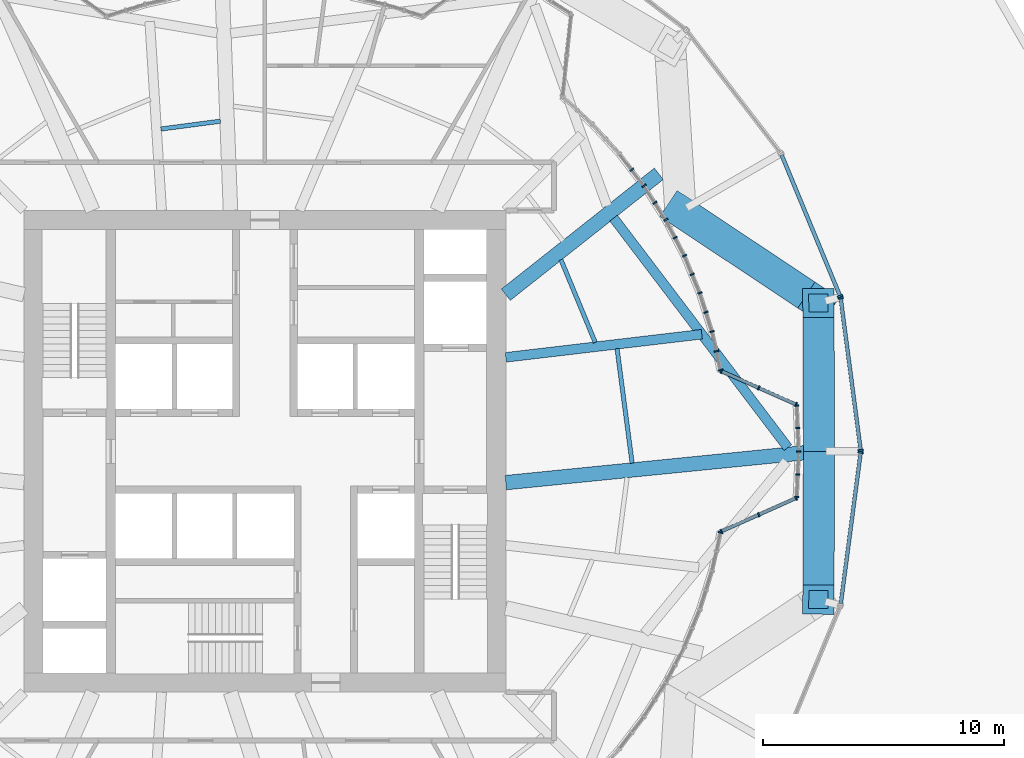
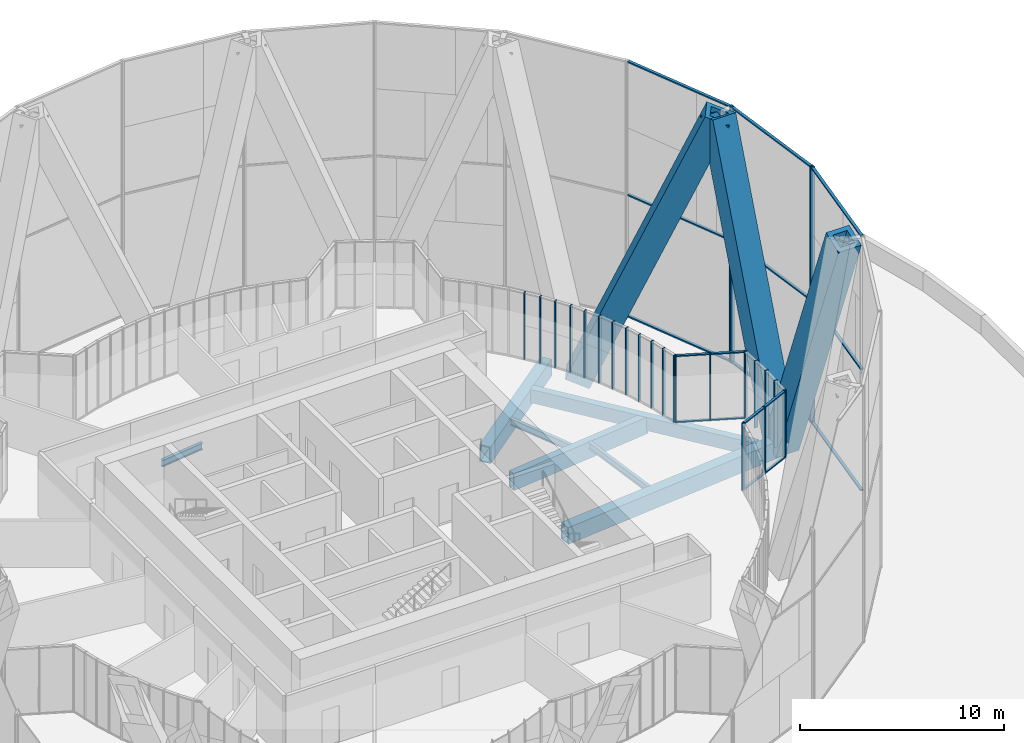
# One storey, part 8 of 27: 48 members, 7 beams, 14 elements without a shape of their own.
"""IFC4 building model written with IfcOpenShell, lengths in metres."""

from ifc_helpers import new_model, si_unit, direction, frame, origin, origin_2d, place, context, subcontext, project, spatial, rectangle, hollow_rectangle, i_section, extrude, material, material_profile, profile_set, type_object, element, aggregate, save


model = new_model("IFC4")

# Units and contexts
model_context = context("Model", 3, precision=1e-05, world=origin(), true_north=direction((0.0, 1.0)))
body_context = subcontext(model_context, "Body", "Model", "MODEL_VIEW")
ifc_project = project(units=[si_unit("LENGTHUNIT", "METRE"), si_unit("AREAUNIT", "SQUARE_METRE"), si_unit("VOLUMEUNIT", "CUBIC_METRE"), si_unit("PLANEANGLEUNIT", "RADIAN"), si_unit("MASSUNIT", "GRAM", prefix="KILO")], contexts=[model_context])

# Site, building, storey
site_placement = place(None, origin())
site = spatial("IfcSite", under=ifc_project, at=site_placement, CompositionType="ELEMENT")
building_placement = place(site_placement, origin())
building = spatial("IfcBuilding", under=site, at=building_placement, Name="Golbaran Civic Tower", CompositionType="ELEMENT")
storey_placement = place(building_placement, frame((0.0, 0.0, 21.0)))
storey = spatial("IfcBuildingStorey", under=building, at=storey_placement, Name="L04", CompositionType="ELEMENT", Elevation=21.0)

# Members
ifc_material_1 = material(Name="Steel S355", Category="steel")
ifc_material_profile_1 = material_profile(ifc_material_1, hollow_rectangle(XDim=1.300048828125, YDim=1.300048828125, WallThickness=0.25, at=origin_2d()), Name="BOX 1300x1300x250")
ifc_profile_set_1 = profile_set([ifc_material_profile_1], Name="Steel S355")
member_type_1 = type_object("IfcMemberType", Name="DIAGRID DIAGONAL BOX 1300x1300x250", PredefinedType="BRACE", material=ifc_profile_set_1)
for number, where, z_axis, x_axis, name in (
    (1, (23.0, 0.0, -0.7099609375), (-0.00148107065, 0.359088427386, 0.933302366732), (-0.999991494239, -0.004124493968, 0.0), "Diagonal D00-00R L04-L08"),
    (2, (23.0, 0.0, -0.7099609375), (-0.00148107065, -0.359088427386, 0.933302366732), (0.999991494239, -0.004124493968, 0.0), "Diagonal D00-00L L04-L08"),
):
    element("IfcMember", number, at=place(storey_placement, frame(where, z_axis=z_axis, x_axis=x_axis)), inside=storey, type_object=member_type_1, Name=name, PredefinedType="BRACE", context=body_context, shape_type="SweptSolid", body=[
        extrude(hollow_rectangle(XDim=1.300048828125, YDim=1.300048828125, WallThickness=0.25, at=origin_2d()), origin(), (0.0, 0.0, 1.0), 17.143310546875),
    ])
member_1_placement = place(storey_placement, frame((17.25, 9.959228515625, -0.7099609375), z_axis=(0.328742402608, -0.218404518417, 0.918818752019), x_axis=(0.55337148994, 0.832934567731, 0.0)))
element("IfcMember", 3, at=member_1_placement, inside=storey, type_object=member_type_1, Name="Diagonal D00-01L L04-L08", PredefinedType="BRACE", context=body_context, shape_type="SweptSolid", body=[
    extrude(hollow_rectangle(XDim=1.300048828125, YDim=1.300048828125, WallThickness=0.25, at=origin_2d()), origin(), (0.0, 0.0, 1.0), 17.41357421875),
])

# Beams
ifc_material_profile_2 = material_profile(ifc_material_1, hollow_rectangle(XDim=0.39990234375, YDim=0.800048828125, WallThickness=0.0400390625, at=origin_2d()), Name="BOX 800x400x40")
ifc_profile_set_2 = profile_set([ifc_material_profile_2], Name="Steel S355")
beam_type_1 = type_object("IfcBeamType", Name="EDGE BEAM BOX 800x400x40", PredefinedType="BEAM", material=ifc_profile_set_2)
beam_1_placement = place(storey_placement, frame((21.708740234375, 0.15234375, -0.60009765625), z_axis=(-0.604750475484, 0.796415006389, 0.0), x_axis=(-0.796415006389, -0.604750475484, 0.0)))
element("IfcBeam", 4, at=beam_1_placement, inside=storey, type_object=beam_type_1, Name="Edge beam 0.00 L04", PredefinedType="BEAM", context=body_context, shape_type="SweptSolid", body=[
    extrude(hollow_rectangle(XDim=0.39990234375, YDim=0.800048828125, WallThickness=0.0400390625, at=origin_2d()), origin(), (0.0, 0.0, 1.0), 11.962158203125),
])
ifc_material_profile_3 = material_profile(ifc_material_1, i_section(OverallWidth=0.179931640625, OverallDepth=0.39990234375, WebThickness=0.008544921875, FlangeThickness=0.013427734375, FilletRadius=0.02099609375, at=origin_2d()), Name="IPE 400")
ifc_profile_set_3 = profile_set([ifc_material_profile_3], Name="Steel S355")
beam_type_2 = type_object("IfcBeamType", Name="FLOOR INFILL BEAM IPE 400", PredefinedType="BEAM", material=ifc_profile_set_3)
beam_2_placement = place(storey_placement, frame((15.244140625, -0.494140625, -0.39990234375), z_axis=(-0.130507158797, 0.991447366986, 0.0), x_axis=(-0.991447366986, -0.130507158797, 0.0)))
element("IfcBeam", 5, at=beam_2_placement, inside=storey, type_object=beam_type_2, Name="Infill beam 7.50 L04", PredefinedType="BEAM", context=body_context, shape_type="SweptSolid", body=[
    extrude(i_section(OverallWidth=0.179931640625, OverallDepth=0.39990234375, WebThickness=0.008544921875, FlangeThickness=0.013427734375, FilletRadius=0.02099609375, at=origin_2d()), origin(), (0.0, 0.0, 1.0), 4.79833984375),
])
beam_3_placement = place(storey_placement, frame((13.711669921875, 4.518798828125, -0.39990234375), z_axis=(-0.382711492988, 0.923867908922, 0.0), x_axis=(-0.923867908922, -0.382711492988, 0.0)))
element("IfcBeam", 6, at=beam_3_placement, inside=storey, type_object=beam_type_2, Name="Infill beam 22.50 L04", PredefinedType="BEAM", context=body_context, shape_type="SweptSolid", body=[
    extrude(i_section(OverallWidth=0.179931640625, OverallDepth=0.39990234375, WebThickness=0.008544921875, FlangeThickness=0.013427734375, FilletRadius=0.02099609375, at=origin_2d()), origin(), (0.0, 0.0, 1.0), 3.716552734375),
])
beam_4_placement = place(storey_placement, frame((-1.847412109375, 13.7021484375, -0.39990234375), z_axis=(-0.991450627495, -0.130482386703, 0.0), x_axis=(0.130482386703, -0.991450627495, 0.0)))
element("IfcBeam", 7, at=beam_4_placement, inside=storey, type_object=beam_type_2, Name="Infill beam 97.50 L04", PredefinedType="BEAM", context=body_context, shape_type="SweptSolid", body=[
    extrude(i_section(OverallWidth=0.179931640625, OverallDepth=0.39990234375, WebThickness=0.008544921875, FlangeThickness=0.013427734375, FilletRadius=0.02099609375, at=origin_2d()), origin(), (0.0, 0.0, 1.0), 2.4921875),
])

# Curtain wall, members
ifc_material_2 = material(Name="Aluminium and glass", Category="aluminium")
curtain_wall_type_1 = type_object("IfcCurtainWallType", Name="INNER SKIN CURTAIN WALL", PredefinedType="NOTDEFINED", material=ifc_material_2)
curtain_wall_1_placement = place(storey_placement, origin())
curtain_wall_1 = element("IfcCurtainWall", 8, at=curtain_wall_1_placement, inside=storey, type_object=curtain_wall_type_1, Name="Inner skin L04 facet 1 CW1", ObjectType="INNER SKIN", PredefinedType="USERDEFINED")
ifc_material_3 = material(Name="Aluminium", Category="aluminium")
ifc_material_profile_4 = material_profile(ifc_material_3, rectangle(XDim=0.179931640625, YDim=0.06494140625, at=origin_2d()), Name="INNER SKIN CURTAIN WALL MULLION")
ifc_profile_set_4 = profile_set([ifc_material_profile_4], Name="Aluminium")
member_type_2 = type_object("IfcMemberType", Name="INNER SKIN CURTAIN WALL MULLION", PredefinedType="MULLION", material=ifc_profile_set_4)
member_2_placement = place(storey_placement, frame((22.117919921875, 0.965576171875, 0.0), z_axis=(0.0, 0.0, 1.0), x_axis=(-0.999048221588, -0.043619387226, 0.0)))
member_2 = element("IfcMember", 9, at=member_2_placement, type_object=member_type_2, Name="CW1 mullion 2", PredefinedType="MULLION", context=body_context, shape_type="SweptSolid", body=[
    extrude(rectangle(XDim=0.179931640625, YDim=0.06494140625, at=origin_2d()), origin(), (0.0, 0.0, 1.0), 4.0),
])
member_3_placement = place(storey_placement, frame((22.0771484375, 1.89892578125, 0.0), z_axis=(0.0, 0.0, 1.0), x_axis=(-0.999048221588, -0.043619387226, 0.0)))
member_3 = element("IfcMember", 10, at=member_3_placement, type_object=member_type_2, Name="CW1 mullion 3", PredefinedType="MULLION", context=body_context, shape_type="SweptSolid", body=[
    extrude(rectangle(XDim=0.179931640625, YDim=0.06494140625, at=origin_2d()), origin(), (0.0, 0.0, 1.0), 4.0),
])
aggregate(curtain_wall_1, [member_2, member_3])

curtain_wall_2_placement = place(storey_placement, origin())
curtain_wall_2 = element("IfcCurtainWall", 11, at=curtain_wall_2_placement, inside=storey, type_object=curtain_wall_type_1, Name="Inner skin L04 facet 2 CW1", ObjectType="INNER SKIN", PredefinedType="USERDEFINED")
member_4_placement = place(storey_placement, frame((22.0458984375, 1.944580078125, 0.0), z_axis=(0.0, 0.0, 1.0), x_axis=(-0.407136379182, -0.91336737885, 0.0)))
member_4 = element("IfcMember", 12, at=member_4_placement, type_object=member_type_2, Name="CW1 mullion 1", PredefinedType="MULLION", context=body_context, shape_type="SweptSolid", body=[
    extrude(rectangle(XDim=0.179931640625, YDim=0.06494140625, at=origin_2d()), origin(), (0.0, 0.0, 1.0), 4.0),
])
member_5_placement = place(storey_placement, frame((20.499267578125, 2.634033203125, 0.0), z_axis=(0.0, 0.0, 1.0), x_axis=(-0.407136379182, -0.91336737885, 0.0)))
member_5 = element("IfcMember", 13, at=member_5_placement, type_object=member_type_2, Name="CW1 mullion 2", PredefinedType="MULLION", context=body_context, shape_type="SweptSolid", body=[
    extrude(rectangle(XDim=0.179931640625, YDim=0.06494140625, at=origin_2d()), origin(), (0.0, 0.0, 1.0), 4.0),
])
member_6_placement = place(storey_placement, frame((18.952880859375, 3.323486328125, 0.0), z_axis=(0.0, 0.0, 1.0), x_axis=(-0.407136379182, -0.91336737885, 0.0)))
member_6 = element("IfcMember", 14, at=member_6_placement, type_object=member_type_2, Name="CW1 mullion 3", PredefinedType="MULLION", context=body_context, shape_type="SweptSolid", body=[
    extrude(rectangle(XDim=0.179931640625, YDim=0.06494140625, at=origin_2d()), origin(), (0.0, 0.0, 1.0), 4.0),
])

curtain_wall_3_placement = place(storey_placement, origin())
curtain_wall_3 = element("IfcCurtainWall", 15, at=curtain_wall_3_placement, inside=storey, type_object=curtain_wall_type_1, Name="Inner skin L04 facet 3 CW1", ObjectType="INNER SKIN", PredefinedType="USERDEFINED")
member_7_placement = place(storey_placement, frame((18.916015625, 3.368408203125, 0.0), z_axis=(0.0, 0.0, 1.0), x_axis=(-0.976296007124, -0.216439613921, 0.0)))
member_7 = element("IfcMember", 16, at=member_7_placement, type_object=member_type_2, Name="CW1 mullion 1", PredefinedType="MULLION", context=body_context, shape_type="SweptSolid", body=[
    extrude(rectangle(XDim=0.179931640625, YDim=0.06494140625, at=origin_2d()), origin(), (0.0, 0.0, 1.0), 4.0),
])
member_8_placement = place(storey_placement, frame((18.74169921875, 4.155029296875, 0.0), z_axis=(0.0, 0.0, 1.0), x_axis=(-0.976296007124, -0.216439613921, 0.0)))
member_8 = element("IfcMember", 17, at=member_8_placement, type_object=member_type_2, Name="CW1 mullion 2", PredefinedType="MULLION", context=body_context, shape_type="SweptSolid", body=[
    extrude(rectangle(XDim=0.179931640625, YDim=0.06494140625, at=origin_2d()), origin(), (0.0, 0.0, 1.0), 4.0),
])
member_9_placement = place(storey_placement, frame((18.560302734375, 4.97314453125, 0.0), z_axis=(0.0, 0.0, 1.0), x_axis=(-0.965925826294, -0.258819045086, 0.0)))
member_9 = element("IfcMember", 18, at=member_9_placement, type_object=member_type_2, Name="CW1 mullion 3", PredefinedType="MULLION", context=body_context, shape_type="SweptSolid", body=[
    extrude(rectangle(XDim=0.179931640625, YDim=0.06494140625, at=origin_2d()), origin(), (0.0, 0.0, 1.0), 4.0),
])
aggregate(curtain_wall_3, [member_7, member_8, member_9])

curtain_wall_4_placement = place(storey_placement, origin())
curtain_wall_4 = element("IfcCurtainWall", 19, at=curtain_wall_4_placement, inside=storey, type_object=curtain_wall_type_1, Name="Inner skin L04 facet 4 CW1", ObjectType="INNER SKIN", PredefinedType="USERDEFINED")
member_10_placement = place(storey_placement, frame((18.308349609375, 5.7724609375, 0.0), z_axis=(0.0, 0.0, 1.0), x_axis=(-0.953716950685, -0.300705799704, 0.0)))
member_10 = element("IfcMember", 20, at=member_10_placement, type_object=member_type_2, Name="CW1 mullion 2", PredefinedType="MULLION", context=body_context, shape_type="SweptSolid", body=[
    extrude(rectangle(XDim=0.179931640625, YDim=0.06494140625, at=origin_2d()), origin(), (0.0, 0.0, 1.0), 4.0),
])
member_11_placement = place(storey_placement, frame((18.05615234375, 6.572021484375, 0.0), z_axis=(0.0, 0.0, 1.0), x_axis=(-0.939692620786, -0.342020143326, 0.0)))
member_11 = element("IfcMember", 21, at=member_11_placement, type_object=member_type_2, Name="CW1 mullion 3", PredefinedType="MULLION", context=body_context, shape_type="SweptSolid", body=[
    extrude(rectangle(XDim=0.179931640625, YDim=0.06494140625, at=origin_2d()), origin(), (0.0, 0.0, 1.0), 4.0),
])
aggregate(curtain_wall_4, [member_10, member_11])

curtain_wall_5_placement = place(storey_placement, origin())
curtain_wall_5 = element("IfcCurtainWall", 22, at=curtain_wall_5_placement, inside=storey, type_object=curtain_wall_type_1, Name="Inner skin L04 facet 5 CW1", ObjectType="INNER SKIN", PredefinedType="USERDEFINED")
member_12_placement = place(storey_placement, frame((17.7353515625, 7.34619140625, 0.0), z_axis=(0.0, 0.0, 1.0), x_axis=(-0.923879532585, -0.382683432188, 0.0)))
member_12 = element("IfcMember", 23, at=member_12_placement, type_object=member_type_2, Name="CW1 mullion 2", PredefinedType="MULLION", context=body_context, shape_type="SweptSolid", body=[
    extrude(rectangle(XDim=0.179931640625, YDim=0.06494140625, at=origin_2d()), origin(), (0.0, 0.0, 1.0), 4.0),
])
member_13_placement = place(storey_placement, frame((17.414794921875, 8.12060546875, 0.0), z_axis=(0.0, 0.0, 1.0), x_axis=(-0.906307787088, -0.42261826163, 0.0)))
member_13 = element("IfcMember", 24, at=member_13_placement, type_object=member_type_2, Name="CW1 mullion 3", PredefinedType="MULLION", context=body_context, shape_type="SweptSolid", body=[
    extrude(rectangle(XDim=0.179931640625, YDim=0.06494140625, at=origin_2d()), origin(), (0.0, 0.0, 1.0), 4.0),
])
aggregate(curtain_wall_5, [member_12, member_13])

curtain_wall_6_placement = place(storey_placement, origin())
curtain_wall_6 = element("IfcCurtainWall", 25, at=curtain_wall_6_placement, inside=storey, type_object=curtain_wall_type_1, Name="Inner skin L04 facet 6 CW1", ObjectType="INNER SKIN", PredefinedType="USERDEFINED")
member_14_placement = place(storey_placement, frame((17.027587890625, 8.864013671875, 0.0), z_axis=(0.0, 0.0, 1.0), x_axis=(-0.887010833267, -0.461748613065, 0.0)))
member_14 = element("IfcMember", 26, at=member_14_placement, type_object=member_type_2, Name="CW1 mullion 2", PredefinedType="MULLION", context=body_context, shape_type="SweptSolid", body=[
    extrude(rectangle(XDim=0.179931640625, YDim=0.06494140625, at=origin_2d()), origin(), (0.0, 0.0, 1.0), 4.0),
])
member_15_placement = place(storey_placement, frame((16.640625, 9.607421875, 0.0), z_axis=(0.0, 0.0, 1.0), x_axis=(-0.866025403802, -0.49999999997, 0.0)))
member_15 = element("IfcMember", 27, at=member_15_placement, type_object=member_type_2, Name="CW1 mullion 3", PredefinedType="MULLION", context=body_context, shape_type="SweptSolid", body=[
    extrude(rectangle(XDim=0.179931640625, YDim=0.06494140625, at=origin_2d()), origin(), (0.0, 0.0, 1.0), 4.0),
])
aggregate(curtain_wall_6, [member_14, member_15])

curtain_wall_7_placement = place(storey_placement, origin())
curtain_wall_7 = element("IfcCurtainWall", 28, at=curtain_wall_7_placement, inside=storey, type_object=curtain_wall_type_1, Name="Inner skin L04 facet 7 CW1", ObjectType="INNER SKIN", PredefinedType="USERDEFINED")
member_16_placement = place(storey_placement, frame((16.1904296875, 10.314453125, 0.0), z_axis=(0.0, 0.0, 1.0), x_axis=(-0.843391445653, -0.537299608597, 0.0)))
member_16 = element("IfcMember", 29, at=member_16_placement, type_object=member_type_2, Name="CW1 mullion 2", PredefinedType="MULLION", context=body_context, shape_type="SweptSolid", body=[
    extrude(rectangle(XDim=0.179931640625, YDim=0.06494140625, at=origin_2d()), origin(), (0.0, 0.0, 1.0), 4.0),
])
member_17_placement = place(storey_placement, frame((15.739990234375, 11.021240234375, 0.0), z_axis=(0.0, 0.0, 1.0), x_axis=(-0.819152044259, -0.573576436394, 0.0)))
member_17 = element("IfcMember", 30, at=member_17_placement, type_object=member_type_2, Name="CW1 mullion 3", PredefinedType="MULLION", context=body_context, shape_type="SweptSolid", body=[
    extrude(rectangle(XDim=0.179931640625, YDim=0.06494140625, at=origin_2d()), origin(), (0.0, 0.0, 1.0), 4.0),
])
aggregate(curtain_wall_7, [member_16, member_17])

# Curtain wall, member
curtain_wall_8_placement = place(storey_placement, origin())
curtain_wall_8 = element("IfcCurtainWall", 31, at=curtain_wall_8_placement, inside=storey, type_object=curtain_wall_type_1, Name="Inner skin L04 facet 8 CW1", ObjectType="INNER SKIN", PredefinedType="USERDEFINED")
member_18_placement = place(storey_placement, frame((15.229736328125, 11.686279296875, 0.0), z_axis=(0.0, 0.0, 1.0), x_axis=(-0.793353340514, -0.608761428718, 0.0)))
member_18 = element("IfcMember", 32, at=member_18_placement, type_object=member_type_2, Name="CW1 mullion 2", PredefinedType="MULLION", context=body_context, shape_type="SweptSolid", body=[
    extrude(rectangle(XDim=0.179931640625, YDim=0.06494140625, at=origin_2d()), origin(), (0.0, 0.0, 1.0), 4.0),
])
aggregate(curtain_wall_8, [member_18])

curtain_wall_9_placement = place(storey_placement, origin())
curtain_wall_9 = element("IfcCurtainWall", 33, at=curtain_wall_9_placement, inside=storey, type_object=curtain_wall_type_1, Name="Inner skin L04 facet 70 CW1", ObjectType="INNER SKIN", PredefinedType="USERDEFINED")
member_19_placement = place(storey_placement, frame((18.916015625, -3.368408203125, 0.0), z_axis=(0.0, 0.0, 1.0), x_axis=(-0.976296007124, 0.216439613921, 0.0)))
member_19 = element("IfcMember", 34, at=member_19_placement, type_object=member_type_2, Name="CW1 mullion 3", PredefinedType="MULLION", context=body_context, shape_type="SweptSolid", body=[
    extrude(rectangle(XDim=0.179931640625, YDim=0.06494140625, at=origin_2d()), origin(), (0.0, 0.0, 1.0), 4.0),
])
aggregate(curtain_wall_9, [member_19])

# Curtain wall, members
curtain_wall_10_placement = place(storey_placement, origin())
curtain_wall_10 = element("IfcCurtainWall", 35, at=curtain_wall_10_placement, inside=storey, type_object=curtain_wall_type_1, Name="Inner skin L04 facet 71 CW1", ObjectType="INNER SKIN", PredefinedType="USERDEFINED")
member_20_placement = place(storey_placement, frame((18.952880859375, -3.323486328125, 0.0), z_axis=(0.0, 0.0, 1.0), x_axis=(-0.407136379182, 0.91336737885, 0.0)))
member_20 = element("IfcMember", 36, at=member_20_placement, type_object=member_type_2, Name="CW1 mullion 1", PredefinedType="MULLION", context=body_context, shape_type="SweptSolid", body=[
    extrude(rectangle(XDim=0.179931640625, YDim=0.06494140625, at=origin_2d()), origin(), (0.0, 0.0, 1.0), 4.0),
])
member_21_placement = place(storey_placement, frame((20.499267578125, -2.634033203125, 0.0), z_axis=(0.0, 0.0, 1.0), x_axis=(-0.407136379182, 0.91336737885, 0.0)))
member_21 = element("IfcMember", 37, at=member_21_placement, type_object=member_type_2, Name="CW1 mullion 2", PredefinedType="MULLION", context=body_context, shape_type="SweptSolid", body=[
    extrude(rectangle(XDim=0.179931640625, YDim=0.06494140625, at=origin_2d()), origin(), (0.0, 0.0, 1.0), 4.0),
])
member_22_placement = place(storey_placement, frame((22.0458984375, -1.944580078125, 0.0), z_axis=(0.0, 0.0, 1.0), x_axis=(-0.407136379182, 0.91336737885, 0.0)))
member_22 = element("IfcMember", 38, at=member_22_placement, type_object=member_type_2, Name="CW1 mullion 3", PredefinedType="MULLION", context=body_context, shape_type="SweptSolid", body=[
    extrude(rectangle(XDim=0.179931640625, YDim=0.06494140625, at=origin_2d()), origin(), (0.0, 0.0, 1.0), 4.0),
])

curtain_wall_11_placement = place(storey_placement, origin())
curtain_wall_11 = element("IfcCurtainWall", 39, at=curtain_wall_11_placement, inside=storey, type_object=curtain_wall_type_1, Name="Inner skin L04 facet 72 CW1", ObjectType="INNER SKIN", PredefinedType="USERDEFINED")
member_23_placement = place(storey_placement, frame((22.0771484375, -1.89892578125, 0.0), z_axis=(0.0, 0.0, 1.0), x_axis=(-0.999048221588, 0.043619387226, 0.0)))
member_23 = element("IfcMember", 40, at=member_23_placement, type_object=member_type_2, Name="CW1 mullion 1", PredefinedType="MULLION", context=body_context, shape_type="SweptSolid", body=[
    extrude(rectangle(XDim=0.179931640625, YDim=0.06494140625, at=origin_2d()), origin(), (0.0, 0.0, 1.0), 4.0),
])
member_24_placement = place(storey_placement, frame((22.117919921875, -0.965576171875, 0.0), z_axis=(0.0, 0.0, 1.0), x_axis=(-0.999048221588, 0.043619387226, 0.0)))
member_24 = element("IfcMember", 41, at=member_24_placement, type_object=member_type_2, Name="CW1 mullion 2", PredefinedType="MULLION", context=body_context, shape_type="SweptSolid", body=[
    extrude(rectangle(XDim=0.179931640625, YDim=0.06494140625, at=origin_2d()), origin(), (0.0, 0.0, 1.0), 4.0),
])
member_25_placement = place(storey_placement, frame((22.159912109375, 0.0, 0.0), z_axis=(0.0, 0.0, 1.0), x_axis=(-1.0, -7e-11, 0.0)))
member_25 = element("IfcMember", 42, at=member_25_placement, type_object=member_type_2, Name="CW1 mullion 3", PredefinedType="MULLION", context=body_context, shape_type="SweptSolid", body=[
    extrude(rectangle(XDim=0.179931640625, YDim=0.06494140625, at=origin_2d()), origin(), (0.0, 0.0, 1.0), 4.0),
])
aggregate(curtain_wall_11, [member_23, member_24, member_25])

# Member
ifc_material_profile_5 = material_profile(ifc_material_3, rectangle(XDim=0.139892578125, YDim=0.06494140625, at=origin_2d()), Name="INNER SKIN CURTAIN WALL TRANSOM")
ifc_profile_set_5 = profile_set([ifc_material_profile_5], Name="Aluminium")
member_type_3 = type_object("IfcMemberType", Name="INNER SKIN CURTAIN WALL TRANSOM", PredefinedType="USERDEFINED", material=ifc_profile_set_5)
member_26_placement = place(storey_placement, frame((22.016357421875, 1.957763671875, 0.032470703125), z_axis=(-0.913341070078, 0.407195394999, 0.0), x_axis=(-0.407195394999, -0.913341070078, 0.0)))
member_26 = element("IfcMember", 43, at=member_26_placement, type_object=member_type_3, Name="CW1 transom 1.1", ObjectType="TRANSOM", PredefinedType="USERDEFINED", context=body_context, shape_type="SweptSolid", body=[
    extrude(rectangle(XDim=0.139892578125, YDim=0.06494140625, at=origin_2d()), origin(), (0.0, 0.0, 1.0), 1.62841796875),
])

member_27_placement = place(storey_placement, frame((22.016357421875, 1.957763671875, 3.967529296875), z_axis=(-0.913341070078, 0.407195394999, 0.0), x_axis=(-0.407195394999, -0.913341070078, 0.0)))
member_27 = element("IfcMember", 44, at=member_27_placement, type_object=member_type_3, Name="CW1 transom 1.2", ObjectType="TRANSOM", PredefinedType="USERDEFINED", context=body_context, shape_type="SweptSolid", body=[
    extrude(rectangle(XDim=0.139892578125, YDim=0.06494140625, at=origin_2d()), origin(), (0.0, 0.0, 1.0), 1.62841796875),
])

member_28_placement = place(storey_placement, frame((20.4697265625, 2.647216796875, 0.032470703125), z_axis=(-0.913341070078, 0.407195394999, 0.0), x_axis=(-0.407195394999, -0.913341070078, 0.0)))
member_28 = element("IfcMember", 45, at=member_28_placement, type_object=member_type_3, Name="CW1 transom 2.1", ObjectType="TRANSOM", PredefinedType="USERDEFINED", context=body_context, shape_type="SweptSolid", body=[
    extrude(rectangle(XDim=0.139892578125, YDim=0.06494140625, at=origin_2d()), origin(), (0.0, 0.0, 1.0), 1.62841796875),
])

member_29_placement = place(storey_placement, frame((20.4697265625, 2.647216796875, 3.967529296875), z_axis=(-0.913341070078, 0.407195394999, 0.0), x_axis=(-0.407195394999, -0.913341070078, 0.0)))
member_29 = element("IfcMember", 46, at=member_29_placement, type_object=member_type_3, Name="CW1 transom 2.2", ObjectType="TRANSOM", PredefinedType="USERDEFINED", context=body_context, shape_type="SweptSolid", body=[
    extrude(rectangle(XDim=0.139892578125, YDim=0.06494140625, at=origin_2d()), origin(), (0.0, 0.0, 1.0), 1.62841796875),
])

aggregate(curtain_wall_2, [member_4, member_5, member_6, member_26, member_27, member_28, member_29])

member_30_placement = place(storey_placement, frame((18.982421875, -3.310302734375, 0.032470703125), z_axis=(0.913341070078, 0.407195394999, 0.0), x_axis=(-0.407195394999, 0.913341070078, 0.0)))
member_30 = element("IfcMember", 47, at=member_30_placement, type_object=member_type_3, Name="CW1 transom 1.1", ObjectType="TRANSOM", PredefinedType="USERDEFINED", context=body_context, shape_type="SweptSolid", body=[
    extrude(rectangle(XDim=0.139892578125, YDim=0.06494140625, at=origin_2d()), origin(), (0.0, 0.0, 1.0), 1.62841796875),
])

member_31_placement = place(storey_placement, frame((18.982421875, -3.310302734375, 3.967529296875), z_axis=(0.913341070078, 0.407195394999, 0.0), x_axis=(-0.407195394999, 0.913341070078, 0.0)))
member_31 = element("IfcMember", 48, at=member_31_placement, type_object=member_type_3, Name="CW1 transom 1.2", ObjectType="TRANSOM", PredefinedType="USERDEFINED", context=body_context, shape_type="SweptSolid", body=[
    extrude(rectangle(XDim=0.139892578125, YDim=0.06494140625, at=origin_2d()), origin(), (0.0, 0.0, 1.0), 1.62841796875),
])

member_32_placement = place(storey_placement, frame((20.529052734375, -2.620849609375, 0.032470703125), z_axis=(0.913341070078, 0.407195394999, 0.0), x_axis=(-0.407195394999, 0.913341070078, 0.0)))
member_32 = element("IfcMember", 49, at=member_32_placement, type_object=member_type_3, Name="CW1 transom 2.1", ObjectType="TRANSOM", PredefinedType="USERDEFINED", context=body_context, shape_type="SweptSolid", body=[
    extrude(rectangle(XDim=0.139892578125, YDim=0.06494140625, at=origin_2d()), origin(), (0.0, 0.0, 1.0), 1.62841796875),
])

member_33_placement = place(storey_placement, frame((20.529052734375, -2.620849609375, 3.967529296875), z_axis=(0.913341070078, 0.407195394999, 0.0), x_axis=(-0.407195394999, 0.913341070078, 0.0)))
member_33 = element("IfcMember", 50, at=member_33_placement, type_object=member_type_3, Name="CW1 transom 2.2", ObjectType="TRANSOM", PredefinedType="USERDEFINED", context=body_context, shape_type="SweptSolid", body=[
    extrude(rectangle(XDim=0.139892578125, YDim=0.06494140625, at=origin_2d()), origin(), (0.0, 0.0, 1.0), 1.62841796875),
])

aggregate(curtain_wall_10, [member_20, member_21, member_22, member_30, member_31, member_32, member_33])

# Curtain wall, members
curtain_wall_type_2 = type_object("IfcCurtainWallType", Name="OUTER SKIN TERRACOTTA SCREEN", PredefinedType="NOTDEFINED", material=ifc_material_2)
curtain_wall_12_placement = place(storey_placement, origin())
curtain_wall_12 = element("IfcCurtainWall", 51, at=curtain_wall_12_placement, inside=storey, type_object=curtain_wall_type_2, Name="Outer skin L04 facet 1 CW3", ObjectType="OUTER SKIN", PredefinedType="USERDEFINED")
ifc_material_profile_6 = material_profile(ifc_material_3, rectangle(XDim=0.219970703125, YDim=0.080078125, at=origin_2d()), Name="OUTER SKIN TERRACOTTA SCREEN MULLION")
ifc_profile_set_6 = profile_set([ifc_material_profile_6], Name="Aluminium")
member_type_4 = type_object("IfcMemberType", Name="OUTER SKIN TERRACOTTA SCREEN MULLION", PredefinedType="MULLION", material=ifc_profile_set_6)
member_34_placement = place(storey_placement, frame((24.729736328125, 0.03955078125, 0.0), z_axis=(0.0, 0.0, 1.0), x_axis=(-0.991444861369, -0.130526192255, 0.0)))
member_34 = element("IfcMember", 52, at=member_34_placement, type_object=member_type_4, Name="CW3 mullion 1", PredefinedType="MULLION", context=body_context, shape_type="SweptSolid", body=[
    extrude(rectangle(XDim=0.219970703125, YDim=0.080078125, at=origin_2d()), origin(), (0.0, 0.0, 1.0), 15.2900390625),
])
member_35_placement = place(storey_placement, frame((23.8974609375, 6.3623046875, 0.0), z_axis=(0.0, 0.0, 1.0), x_axis=(-0.991444861369, -0.130526192255, 0.0)))
member_35 = element("IfcMember", 53, at=member_35_placement, type_object=member_type_4, Name="CW3 mullion 2", PredefinedType="MULLION", context=body_context, shape_type="SweptSolid", body=[
    extrude(rectangle(XDim=0.219970703125, YDim=0.080078125, at=origin_2d()), origin(), (0.0, 0.0, 1.0), 15.2900390625),
])

# Curtain wall, member
curtain_wall_13_placement = place(storey_placement, origin())
curtain_wall_13 = element("IfcCurtainWall", 54, at=curtain_wall_13_placement, inside=storey, type_object=curtain_wall_type_2, Name="Outer skin L04 facet 2 CW3", ObjectType="OUTER SKIN", PredefinedType="USERDEFINED")
member_36_placement = place(storey_placement, frame((23.876953125, 6.43896484375, 0.0), z_axis=(0.0, 0.0, 1.0), x_axis=(-0.923879532538, -0.382683432301, 0.0)))
member_36 = element("IfcMember", 55, at=member_36_placement, type_object=member_type_4, Name="CW3 mullion 1", PredefinedType="MULLION", context=body_context, shape_type="SweptSolid", body=[
    extrude(rectangle(XDim=0.219970703125, YDim=0.080078125, at=origin_2d()), origin(), (0.0, 0.0, 1.0), 15.2900390625),
])

curtain_wall_14_placement = place(storey_placement, origin())
curtain_wall_14 = element("IfcCurtainWall", 56, at=curtain_wall_14_placement, inside=storey, type_object=curtain_wall_type_2, Name="Outer skin L04 facet 24 CW3", ObjectType="OUTER SKIN", PredefinedType="USERDEFINED")
member_37_placement = place(storey_placement, frame((24.729736328125, -0.03955078125, 0.0), z_axis=(0.0, 0.0, 1.0), x_axis=(-0.991444861369, 0.130526192255, 0.0)))
member_37 = element("IfcMember", 57, at=member_37_placement, type_object=member_type_4, Name="CW3 mullion 2", PredefinedType="MULLION", context=body_context, shape_type="SweptSolid", body=[
    extrude(rectangle(XDim=0.219970703125, YDim=0.080078125, at=origin_2d()), origin(), (0.0, 0.0, 1.0), 15.2900390625),
])

# Member
ifc_material_profile_7 = material_profile(ifc_material_3, rectangle(XDim=0.159912109375, YDim=0.080078125, at=origin_2d()), Name="OUTER SKIN TERRACOTTA SCREEN TRANSOM")
ifc_profile_set_7 = profile_set([ifc_material_profile_7], Name="Aluminium")
member_type_5 = type_object("IfcMemberType", Name="OUTER SKIN TERRACOTTA SCREEN TRANSOM", PredefinedType="USERDEFINED", material=ifc_profile_set_7)
member_38_placement = place(storey_placement, frame((24.724609375, 0.079345703125, 0.0400390625), z_axis=(-0.130540762908, 0.991442942997, 0.0), x_axis=(-0.991442942997, -0.130540762908, 0.0)))
member_38 = element("IfcMember", 58, at=member_38_placement, type_object=member_type_5, Name="CW3 transom 1.1", ObjectType="TRANSOM", PredefinedType="USERDEFINED", context=body_context, shape_type="SweptSolid", body=[
    extrude(rectangle(XDim=0.159912109375, YDim=0.080078125, at=origin_2d()), origin(), (0.0, 0.0, 1.0), 6.297119140625),
])

member_39_placement = place(storey_placement, frame((24.724609375, 0.079345703125, 7.2900390625), z_axis=(-0.130540762908, 0.991442942997, 0.0), x_axis=(-0.991442942997, -0.130540762908, 0.0)))
member_39 = element("IfcMember", 59, at=member_39_placement, type_object=member_type_5, Name="CW3 transom 1.2", ObjectType="TRANSOM", PredefinedType="USERDEFINED", context=body_context, shape_type="SweptSolid", body=[
    extrude(rectangle(XDim=0.159912109375, YDim=0.080078125, at=origin_2d()), origin(), (0.0, 0.0, 1.0), 6.297119140625),
])

member_40_placement = place(storey_placement, frame((24.724609375, 0.079345703125, 15.25), z_axis=(-0.130540762908, 0.991442942997, 0.0), x_axis=(-0.991442942997, -0.130540762908, 0.0)))
member_40 = element("IfcMember", 60, at=member_40_placement, type_object=member_type_5, Name="CW3 transom 1.3", ObjectType="TRANSOM", PredefinedType="USERDEFINED", context=body_context, shape_type="SweptSolid", body=[
    extrude(rectangle(XDim=0.159912109375, YDim=0.080078125, at=origin_2d()), origin(), (0.0, 0.0, 1.0), 6.297119140625),
])

aggregate(curtain_wall_12, [member_34, member_35, member_38, member_39, member_40])

member_41_placement = place(storey_placement, frame((23.861572265625, 6.475830078125, 0.0400390625), z_axis=(-0.38269305572, 0.923875546328, 0.0), x_axis=(-0.923875546328, -0.38269305572, 0.0)))
member_41 = element("IfcMember", 61, at=member_41_placement, type_object=member_type_5, Name="CW3 transom 1.1", ObjectType="TRANSOM", PredefinedType="USERDEFINED", context=body_context, shape_type="SweptSolid", body=[
    extrude(rectangle(XDim=0.159912109375, YDim=0.080078125, at=origin_2d()), origin(), (0.0, 0.0, 1.0), 6.29736328125),
])

member_42_placement = place(storey_placement, frame((23.861572265625, 6.475830078125, 7.2900390625), z_axis=(-0.38269305572, 0.923875546328, 0.0), x_axis=(-0.923875546328, -0.38269305572, 0.0)))
member_42 = element("IfcMember", 62, at=member_42_placement, type_object=member_type_5, Name="CW3 transom 1.2", ObjectType="TRANSOM", PredefinedType="USERDEFINED", context=body_context, shape_type="SweptSolid", body=[
    extrude(rectangle(XDim=0.159912109375, YDim=0.080078125, at=origin_2d()), origin(), (0.0, 0.0, 1.0), 6.29736328125),
])

member_43_placement = place(storey_placement, frame((23.861572265625, 6.475830078125, 15.25), z_axis=(-0.38269305572, 0.923875546328, 0.0), x_axis=(-0.923875546328, -0.38269305572, 0.0)))
member_43 = element("IfcMember", 63, at=member_43_placement, type_object=member_type_5, Name="CW3 transom 1.3", ObjectType="TRANSOM", PredefinedType="USERDEFINED", context=body_context, shape_type="SweptSolid", body=[
    extrude(rectangle(XDim=0.159912109375, YDim=0.080078125, at=origin_2d()), origin(), (0.0, 0.0, 1.0), 6.29736328125),
])

aggregate(curtain_wall_13, [member_36, member_41, member_42, member_43])

member_44_placement = place(storey_placement, frame((23.902587890625, -6.322509765625, 0.0400390625), z_axis=(0.130540762908, 0.991442942997, 0.0), x_axis=(-0.991442942997, 0.130540762908, 0.0)))
member_44 = element("IfcMember", 64, at=member_44_placement, type_object=member_type_5, Name="CW3 transom 1.1", ObjectType="TRANSOM", PredefinedType="USERDEFINED", context=body_context, shape_type="SweptSolid", body=[
    extrude(rectangle(XDim=0.159912109375, YDim=0.080078125, at=origin_2d()), origin(), (0.0, 0.0, 1.0), 6.297119140625),
])

member_45_placement = place(storey_placement, frame((23.902587890625, -6.322509765625, 7.2900390625), z_axis=(0.130540762908, 0.991442942997, 0.0), x_axis=(-0.991442942997, 0.130540762908, 0.0)))
member_45 = element("IfcMember", 65, at=member_45_placement, type_object=member_type_5, Name="CW3 transom 1.2", ObjectType="TRANSOM", PredefinedType="USERDEFINED", context=body_context, shape_type="SweptSolid", body=[
    extrude(rectangle(XDim=0.159912109375, YDim=0.080078125, at=origin_2d()), origin(), (0.0, 0.0, 1.0), 6.297119140625),
])

member_46_placement = place(storey_placement, frame((23.902587890625, -6.322509765625, 15.25), z_axis=(0.130540762908, 0.991442942997, 0.0), x_axis=(-0.991442942997, 0.130540762908, 0.0)))
member_46 = element("IfcMember", 66, at=member_46_placement, type_object=member_type_5, Name="CW3 transom 1.3", ObjectType="TRANSOM", PredefinedType="USERDEFINED", context=body_context, shape_type="SweptSolid", body=[
    extrude(rectangle(XDim=0.159912109375, YDim=0.080078125, at=origin_2d()), origin(), (0.0, 0.0, 1.0), 6.297119140625),
])

aggregate(curtain_wall_14, [member_37, member_44, member_45, member_46])

# Beams
ifc_material_profile_8 = material_profile(ifc_material_1, hollow_rectangle(XDim=0.60009765625, YDim=1.0, WallThickness=0.06005859375, at=origin_2d()), Name="BOX 1000x600x60")
ifc_profile_set_8 = profile_set([ifc_material_profile_8], Name="Steel S355")
beam_type_3 = type_object("IfcBeamType", Name="RADIAL FLOOR BEAM BOX 1000x600x60", PredefinedType="BEAM", material=ifc_profile_set_8)
beam_5_placement = place(storey_placement, frame((10.0, -1.300048828125, -0.7099609375), z_axis=(0.995036820167, 0.099507419385, 0.0), x_axis=(-0.099507419385, 0.995036820167, 0.0)))
element("IfcBeam", 67, at=beam_5_placement, inside=storey, type_object=beam_type_3, Name="Radial beam 0.00 L04", PredefinedType="BEAM", context=body_context, shape_type="SweptSolid", body=[
    extrude(hollow_rectangle(XDim=0.60009765625, YDim=1.0, WallThickness=0.06005859375, at=origin_2d()), origin(), (0.0, 0.0, 1.0), 13.06494140625),
])
beam_6_placement = place(storey_placement, frame((10.0, 6.5, -0.7099609375), z_axis=(0.784592353866, 0.620011966219, 0.0), x_axis=(-0.620011966219, 0.784592353866, 0.0)))
element("IfcBeam", 68, at=beam_6_placement, inside=storey, type_object=beam_type_3, Name="Radial beam 30.00 L04", PredefinedType="BEAM", context=body_context, shape_type="SweptSolid", body=[
    extrude(hollow_rectangle(XDim=0.60009765625, YDim=1.0, WallThickness=0.06005859375, at=origin_2d()), origin(), (0.0, 0.0, 1.0), 8.093505859375),
])
ifc_material_profile_9 = material_profile(ifc_material_1, hollow_rectangle(XDim=0.39990234375, YDim=1.0, WallThickness=0.050048828125, at=origin_2d()), Name="BOX 1000x400x50")
ifc_profile_set_9 = profile_set([ifc_material_profile_9], Name="Steel S355")
beam_type_4 = type_object("IfcBeamType", Name="SECONDARY FLOOR BEAM BOX 1000x400x50", PredefinedType="BEAM", material=ifc_profile_set_9)
beam_7_placement = place(storey_placement, frame((10.0, 3.89990234375, -0.7099609375), z_axis=(0.993119441144, 0.11710583086, 0.0), x_axis=(-0.11710583086, 0.993119441144, 0.0)))
element("IfcBeam", 69, at=beam_7_placement, inside=storey, type_object=beam_type_4, Name="Secondary beam 15.00 L04", PredefinedType="BEAM", context=body_context, shape_type="SweptSolid", body=[
    extrude(hollow_rectangle(XDim=0.39990234375, YDim=1.0, WallThickness=0.050048828125, at=origin_2d()), origin(), (0.0, 0.0, 1.0), 8.191162109375),
])

save(model, "model.ifc")
